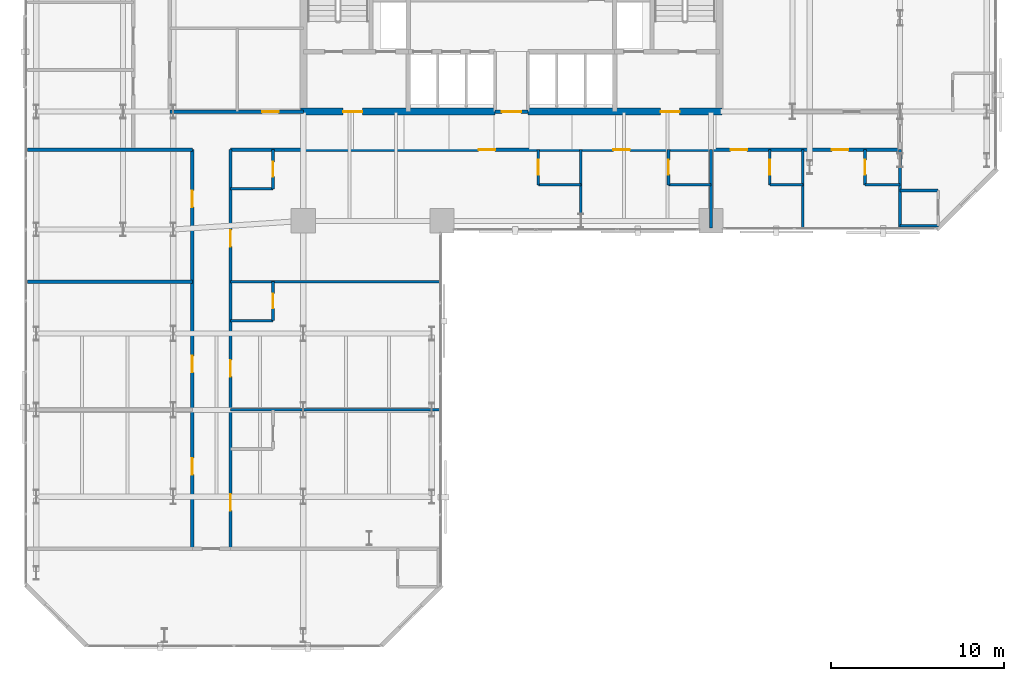
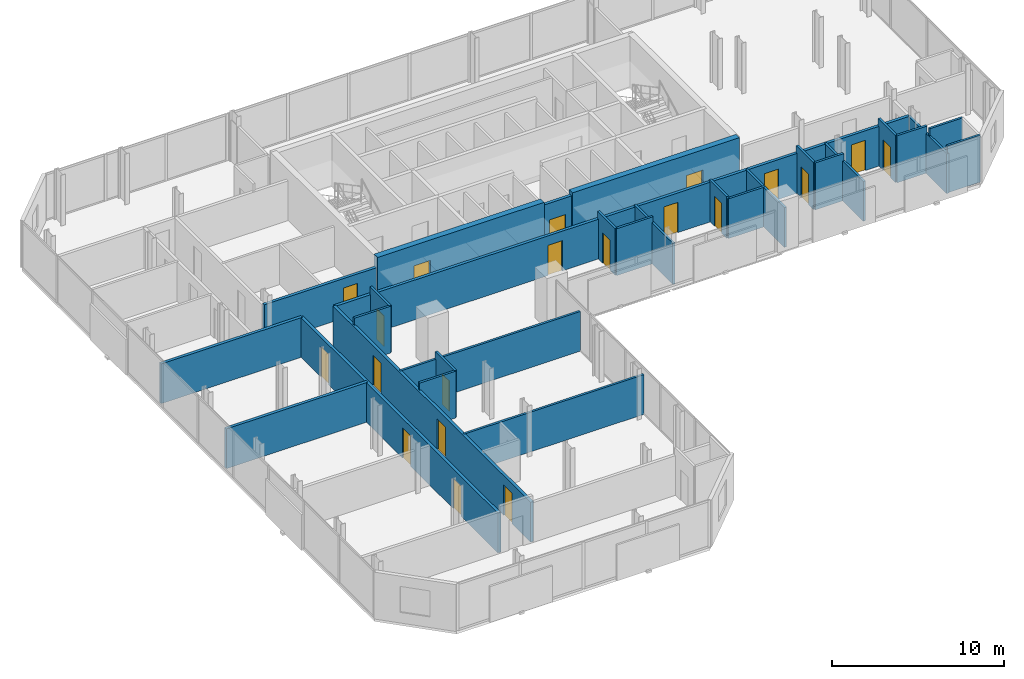
# One storey, part 29 of 33: 29 walls, 20 doors, 20 openings.
"""IFC4 building model written with IfcOpenShell, lengths in metres."""

from ifc_helpers import new_model, si_unit, direction, frame, frame_2d, origin, place, context, subcontext, project, spatial, rectangle, extrude, material, layer, layer_set, type_object, element, fill, save


model = new_model("IFC4")

# Units and contexts
model_context = context("Model", 3, precision=1e-05, world=origin(), true_north=direction((0.0, 1.0)))
body_context = subcontext(model_context, "Body", "Model", "MODEL_VIEW")
ifc_project = project(units=[si_unit("LENGTHUNIT", "METRE"), si_unit("AREAUNIT", "SQUARE_METRE"), si_unit("VOLUMEUNIT", "CUBIC_METRE"), si_unit("PLANEANGLEUNIT", "RADIAN"), si_unit("MASSUNIT", "GRAM", prefix="KILO")], contexts=[model_context])

# Site, building, storey
site_placement = place(None, origin())
site = spatial("IfcSite", under=ifc_project, at=site_placement, CompositionType="ELEMENT")
building_placement = place(site_placement, origin())
building = spatial("IfcBuilding", under=site, at=building_placement, Name="Catumbela Crestline Tower", CompositionType="ELEMENT")
storey_placement = place(building_placement, frame((0.0, 0.0, 58.2)))
storey = spatial("IfcBuildingStorey", under=building, at=storey_placement, Name="L14", CompositionType="ELEMENT", Elevation=58.2)

# Wall, opening, door
ifc_material_1 = material(Name="Concrete C60/75", Category="concrete")
ifc_layer_1 = layer(ifc_material_1, 0.4, Name="Concrete C60/75")
ifc_layer_set_1 = layer_set([ifc_layer_1], Name="Concrete C60/75")
wall_type_1 = type_object("IfcWallType", Name="CW-400A", PredefinedType="SHEAR", material=ifc_layer_set_1)
wall_1_placement = place(storey_placement, frame((15.85, 30.8, 0.0), z_axis=(0.0, 0.0, 1.0), x_axis=(1.0, 0.0, 0.0)))
wall_1 = element("IfcWall", 1, at=wall_1_placement, inside=storey, type_object=wall_type_1, Name="L14 Structural Core Shear Wall SW", PredefinedType="SHEAR", context=body_context, shape_type="SweptSolid", body=[
    extrude(rectangle(XDim=11.2, YDim=0.4, at=frame_2d((5.6, 0.0))), origin(), (0.0, 0.0, 1.0), 3.6),
])
opening_1_placement = place(wall_1_placement, frame((2.45, 0.0, 0.0)))
opening_1 = element("IfcOpeningElement", 2, at=opening_1_placement, cuts=wall_1, Name="Opening DF9-110", PredefinedType="OPENING", context=body_context, shape_type="SweptSolid", body=[
    extrude(rectangle(XDim=1.1, YDim=2.15, at=frame_2d((0.55, 1.075))), frame((0.0, 0.21, 0.0), z_axis=(0.0, -1.0, 0.0), x_axis=(1.0, 0.0, 0.0)), (0.0, 0.0, 1.0), 0.42),
])
ifc_material_2 = material(Name="Stainless steel EN 1.4401", Category="steel")
door_type_1 = type_object("IfcDoorType", Name="DF9-110", OperationType="NOTDEFINED", PredefinedType="DOOR", material=ifc_material_2)
door_1_placement = place(opening_1_placement, origin())
door_1 = element("IfcDoor", 3, at=door_1_placement, inside=storey, type_object=door_type_1, Name="L14 Interior Door DR-L14-FFW-S", OperationType="SINGLE_SWING_LEFT", OverallHeight=2.15, OverallWidth=1.1, PredefinedType="DOOR", context=body_context, shape_type="SweptSolid", body=[
    extrude(rectangle(XDim=1.1, YDim=2.15, at=frame_2d((0.55, 1.075))), frame((0.0, 0.025, 0.0), z_axis=(0.0, -1.0, 0.0), x_axis=(1.0, 0.0, 0.0)), (0.0, 0.0, 1.0), 0.05),
])
fill(opening_1, door_1)

wall_2_placement = place(storey_placement, frame((28.95, 30.8, 0.0), z_axis=(0.0, 0.0, 1.0), x_axis=(1.0, 0.0, 0.0)))
wall_2 = element("IfcWall", 4, at=wall_2_placement, inside=storey, type_object=wall_type_1, Name="L14 Structural Core Shear Wall SE", PredefinedType="SHEAR", context=body_context, shape_type="SweptSolid", body=[
    extrude(rectangle(XDim=11.2, YDim=0.4, at=frame_2d((5.6, 0.0))), origin(), (0.0, 0.0, 1.0), 3.6),
])
opening_2_placement = place(wall_2_placement, frame((7.65, 0.0, 0.0)))
opening_2 = element("IfcOpeningElement", 5, at=opening_2_placement, cuts=wall_2, Name="Opening DF9-110", PredefinedType="OPENING", context=body_context, shape_type="SweptSolid", body=[
    extrude(rectangle(XDim=1.1, YDim=2.15, at=frame_2d((0.55, 1.075))), frame((0.0, 0.21, 0.0), z_axis=(0.0, -1.0, 0.0), x_axis=(1.0, 0.0, 0.0)), (0.0, 0.0, 1.0), 0.42),
])
door_2_placement = place(opening_2_placement, origin())
door_2 = element("IfcDoor", 6, at=door_2_placement, inside=storey, type_object=door_type_1, Name="L14 Interior Door DR-L14-FFE-S", OperationType="SINGLE_SWING_RIGHT", OverallHeight=2.15, OverallWidth=1.1, PredefinedType="DOOR", context=body_context, shape_type="SweptSolid", body=[
    extrude(rectangle(XDim=1.1, YDim=2.15, at=frame_2d((0.55, 1.075))), frame((0.0, 0.025, 0.0), z_axis=(0.0, -1.0, 0.0), x_axis=(1.0, 0.0, 0.0)), (0.0, 0.0, 1.0), 0.05),
])
fill(opening_2, door_2)

ifc_material_3 = material(Name="Acoustic gypsum and mineral-wool partition")
ifc_layer_2 = layer(ifc_material_3, 0.2, Name="Acoustic gypsum and mineral-wool partition")
ifc_layer_set_2 = layer_set([ifc_layer_2], Name="Acoustic gypsum and mineral-wool partition")
wall_type_2 = type_object("IfcWallType", Name="WC-200", PredefinedType="PARTITIONING", material=ifc_layer_set_2)
wall_3_placement = place(storey_placement, frame((27.05, 30.8, 0.0), z_axis=(0.0, 0.0, 1.0), x_axis=(1.0, 0.0, 0.0)))
wall_3 = element("IfcWall", 7, at=wall_3_placement, inside=storey, type_object=wall_type_2, Name="L14 Interior Partition PW-L14-CLOBS", PredefinedType="PARTITIONING", context=body_context, shape_type="SweptSolid", body=[
    extrude(rectangle(XDim=1.9, YDim=0.2, at=frame_2d((0.95, 0.0))), origin(), (0.0, 0.0, 1.0), 3.33),
])
opening_3_placement = place(wall_3_placement, frame((0.4, 0.0, 0.0)))
opening_3 = element("IfcOpeningElement", 8, at=opening_3_placement, cuts=wall_3, Name="Opening DF9-110", PredefinedType="OPENING", context=body_context, shape_type="SweptSolid", body=[
    extrude(rectangle(XDim=1.1, YDim=2.15, at=frame_2d((0.55, 1.075))), frame((0.0, 0.11, 0.0), z_axis=(0.0, -1.0, 0.0), x_axis=(1.0, 0.0, 0.0)), (0.0, 0.0, 1.0), 0.22),
])
door_3_placement = place(opening_3_placement, origin())
door_3 = element("IfcDoor", 9, at=door_3_placement, inside=storey, type_object=door_type_1, Name="L14 Interior Door DR-L14-CLOBS", OperationType="SINGLE_SWING_LEFT", OverallHeight=2.15, OverallWidth=1.1, PredefinedType="DOOR", context=body_context, shape_type="SweptSolid", body=[
    extrude(rectangle(XDim=1.1, YDim=2.15, at=frame_2d((0.55, 1.075))), frame((0.0, 0.025, 0.0), z_axis=(0.0, -1.0, 0.0), x_axis=(1.0, 0.0, 0.0)), (0.0, 0.0, 1.0), 0.05),
])
fill(opening_3, door_3)

# Wall
wall_4_placement = place(storey_placement, frame((0.1, 28.6, 0.0), z_axis=(0.0, 0.0, 1.0), x_axis=(1.0, 0.0, 0.0)))
element("IfcWall", 10, at=wall_4_placement, inside=storey, type_object=wall_type_2, Name="L14 Interior Partition PW-L14-CWGL-N", PredefinedType="PARTITIONING", context=body_context, shape_type="SweptSolid", body=[
    extrude(rectangle(XDim=9.5, YDim=0.2, at=frame_2d((4.75, 0.0))), origin(), (0.0, 0.0, 1.0), 2.82),
])

# Wall, openings, doors
wall_5_placement = place(storey_placement, frame((11.8, 28.6, 0.0), z_axis=(0.0, 0.0, 1.0), x_axis=(1.0, 0.0, 0.0)))
wall_5 = element("IfcWall", 11, at=wall_5_placement, inside=storey, type_object=wall_type_2, Name="L14 Interior Partition PW-L14-CWGR-N", PredefinedType="PARTITIONING", context=body_context, shape_type="SweptSolid", body=[
    extrude(rectangle(XDim=38.6, YDim=0.2, at=frame_2d((19.3, 0.0))), origin(), (0.0, 0.0, 1.0), 2.82),
])
opening_4_placement = place(wall_5_placement, frame((14.3, 0.0, 0.0)))
opening_4 = element("IfcOpeningElement", 12, at=opening_4_placement, cuts=wall_5, Name="Opening DF6-095", PredefinedType="OPENING", context=body_context, shape_type="SweptSolid", body=[
    extrude(rectangle(XDim=0.95, YDim=2.15, at=frame_2d((0.475, 1.075))), frame((0.0, 0.11, 0.0), z_axis=(0.0, -1.0, 0.0), x_axis=(1.0, 0.0, 0.0)), (0.0, 0.0, 1.0), 0.22),
])
opening_5_placement = place(wall_5_placement, frame((22.075, 0.0, 0.0)))
opening_5 = element("IfcOpeningElement", 13, at=opening_5_placement, cuts=wall_5, Name="Opening DF6-095", PredefinedType="OPENING", context=body_context, shape_type="SweptSolid", body=[
    extrude(rectangle(XDim=0.95, YDim=2.15, at=frame_2d((0.475, 1.075))), frame((0.0, 0.11, 0.0), z_axis=(0.0, -1.0, 0.0), x_axis=(1.0, 0.0, 0.0)), (0.0, 0.0, 1.0), 0.22),
])
opening_6_placement = place(wall_5_placement, frame((28.8289, 0.0, 0.0)))
opening_6 = element("IfcOpeningElement", 14, at=opening_6_placement, cuts=wall_5, Name="Opening DF6-095", PredefinedType="OPENING", context=body_context, shape_type="SweptSolid", body=[
    extrude(rectangle(XDim=0.95, YDim=2.15, at=frame_2d((0.475, 1.075))), frame((0.0, 0.11, 0.0), z_axis=(0.0, -1.0, 0.0), x_axis=(1.0, 0.0, 0.0)), (0.0, 0.0, 1.0), 0.22),
])
opening_7_placement = place(wall_5_placement, frame((34.6691, 0.0, 0.0)))
opening_7 = element("IfcOpeningElement", 15, at=opening_7_placement, cuts=wall_5, Name="Opening DF6-095", PredefinedType="OPENING", context=body_context, shape_type="SweptSolid", body=[
    extrude(rectangle(XDim=0.95, YDim=2.15, at=frame_2d((0.475, 1.075))), frame((0.0, 0.11, 0.0), z_axis=(0.0, -1.0, 0.0), x_axis=(1.0, 0.0, 0.0)), (0.0, 0.0, 1.0), 0.22),
])
ifc_material_4 = material(Name="Aluminium alloy AW-6060-T66", Category="aluminium")
door_type_2 = type_object("IfcDoorType", Name="DF6-095", OperationType="NOTDEFINED", PredefinedType="DOOR", material=ifc_material_4)
door_4_placement = place(opening_4_placement, origin())
door_4 = element("IfcDoor", 16, at=door_4_placement, inside=storey, type_object=door_type_2, Name="L14 Interior Door DR-L14-K1-ENT", OperationType="SINGLE_SWING_LEFT", OverallHeight=2.15, OverallWidth=0.95, PredefinedType="DOOR", context=body_context, shape_type="SweptSolid", body=[
    extrude(rectangle(XDim=0.95, YDim=2.15, at=frame_2d((0.475, 1.075))), frame((0.0, 0.025, 0.0), z_axis=(0.0, -1.0, 0.0), x_axis=(1.0, 0.0, 0.0)), (0.0, 0.0, 1.0), 0.05),
])
fill(opening_4, door_4)
door_5_placement = place(opening_5_placement, origin())
door_5 = element("IfcDoor", 17, at=door_5_placement, inside=storey, type_object=door_type_2, Name="L14 Interior Door DR-L14-K2-ENT", OperationType="SINGLE_SWING_RIGHT", OverallHeight=2.15, OverallWidth=0.95, PredefinedType="DOOR", context=body_context, shape_type="SweptSolid", body=[
    extrude(rectangle(XDim=0.95, YDim=2.15, at=frame_2d((0.475, 1.075))), frame((0.0, 0.025, 0.0), z_axis=(0.0, -1.0, 0.0), x_axis=(1.0, 0.0, 0.0)), (0.0, 0.0, 1.0), 0.05),
])
fill(opening_5, door_5)
door_6_placement = place(opening_6_placement, origin())
door_6 = element("IfcDoor", 18, at=door_6_placement, inside=storey, type_object=door_type_2, Name="L14 Interior Door DR-L14-K3-ENT", OperationType="SINGLE_SWING_LEFT", OverallHeight=2.15, OverallWidth=0.95, PredefinedType="DOOR", context=body_context, shape_type="SweptSolid", body=[
    extrude(rectangle(XDim=0.95, YDim=2.15, at=frame_2d((0.475, 1.075))), frame((0.0, 0.025, 0.0), z_axis=(0.0, -1.0, 0.0), x_axis=(1.0, 0.0, 0.0)), (0.0, 0.0, 1.0), 0.05),
])
fill(opening_6, door_6)
door_7_placement = place(opening_7_placement, origin())
door_7 = element("IfcDoor", 19, at=door_7_placement, inside=storey, type_object=door_type_2, Name="L14 Interior Door DR-L14-K4-ENT", OperationType="SINGLE_SWING_RIGHT", OverallHeight=2.15, OverallWidth=0.95, PredefinedType="DOOR", context=body_context, shape_type="SweptSolid", body=[
    extrude(rectangle(XDim=0.95, YDim=2.15, at=frame_2d((0.475, 1.075))), frame((0.0, 0.025, 0.0), z_axis=(0.0, -1.0, 0.0), x_axis=(1.0, 0.0, 0.0)), (0.0, 0.0, 1.0), 0.05),
])
fill(opening_7, door_7)

# Wall, opening, door
wall_6_placement = place(storey_placement, frame((8.3, 30.8, 0.0), z_axis=(0.0, 0.0, 1.0), x_axis=(1.0, 0.0, 0.0)))
wall_6 = element("IfcWall", 20, at=wall_6_placement, inside=storey, type_object=wall_type_2, Name="L14 Interior Partition PW-L14-HK-S", PredefinedType="PARTITIONING", context=body_context, shape_type="SweptSolid", body=[
    extrude(rectangle(XDim=7.7, YDim=0.2, at=frame_2d((3.85, 0.0))), origin(), (0.0, 0.0, 1.0), 2.82),
])
opening_8_placement = place(wall_6_placement, frame((5.325, 0.0, 0.0)))
opening_8 = element("IfcOpeningElement", 21, at=opening_8_placement, cuts=wall_6, Name="Opening DF6-095", PredefinedType="OPENING", context=body_context, shape_type="SweptSolid", body=[
    extrude(rectangle(XDim=0.95, YDim=2.15, at=frame_2d((0.475, 1.075))), frame((0.0, 0.11, 0.0), z_axis=(0.0, -1.0, 0.0), x_axis=(1.0, 0.0, 0.0)), (0.0, 0.0, 1.0), 0.22),
])
door_8_placement = place(opening_8_placement, origin())
door_8 = element("IfcDoor", 22, at=door_8_placement, inside=storey, type_object=door_type_2, Name="L14 Interior Door DR-L14-HKP", OperationType="SINGLE_SWING_LEFT", OverallHeight=2.15, OverallWidth=0.95, PredefinedType="DOOR", context=body_context, shape_type="SweptSolid", body=[
    extrude(rectangle(XDim=0.95, YDim=2.15, at=frame_2d((0.475, 1.075))), frame((0.0, 0.025, 0.0), z_axis=(0.0, -1.0, 0.0), x_axis=(1.0, 0.0, 0.0)), (0.0, 0.0, 1.0), 0.05),
])
fill(opening_8, door_8)

# Wall, openings, doors
wall_7_placement = place(storey_placement, frame((9.6, 5.6, 0.0), z_axis=(0.0, 0.0, 1.0), x_axis=(0.0, 1.0, 0.0)))
wall_7 = element("IfcWall", 23, at=wall_7_placement, inside=storey, type_object=wall_type_2, Name="L14 Interior Partition PW-L14-WL1-ENT", PredefinedType="PARTITIONING", context=body_context, shape_type="SweptSolid", body=[
    extrude(rectangle(XDim=23.0, YDim=0.2, at=frame_2d((11.5, 0.0))), origin(), (0.0, 0.0, 1.0), 2.82),
])
opening_9_placement = place(wall_7_placement, frame((4.2703, 0.0, 0.0)))
opening_9 = element("IfcOpeningElement", 24, at=opening_9_placement, cuts=wall_7, Name="Opening DF6-095", PredefinedType="OPENING", context=body_context, shape_type="SweptSolid", body=[
    extrude(rectangle(XDim=0.95, YDim=2.15, at=frame_2d((0.475, 1.075))), frame((0.0, 0.11, 0.0), z_axis=(0.0, -1.0, 0.0), x_axis=(1.0, 0.0, 0.0)), (0.0, 0.0, 1.0), 0.22),
])
opening_10_placement = place(wall_7_placement, frame((10.1698, 0.0, 0.0)))
opening_10 = element("IfcOpeningElement", 25, at=opening_10_placement, cuts=wall_7, Name="Opening DF6-095", PredefinedType="OPENING", context=body_context, shape_type="SweptSolid", body=[
    extrude(rectangle(XDim=0.95, YDim=2.15, at=frame_2d((0.475, 1.075))), frame((0.0, 0.11, 0.0), z_axis=(0.0, -1.0, 0.0), x_axis=(1.0, 0.0, 0.0)), (0.0, 0.0, 1.0), 0.22),
])
opening_11_placement = place(wall_7_placement, frame((19.6931, 0.0, 0.0)))
opening_11 = element("IfcOpeningElement", 26, at=opening_11_placement, cuts=wall_7, Name="Opening DF6-095", PredefinedType="OPENING", context=body_context, shape_type="SweptSolid", body=[
    extrude(rectangle(XDim=0.95, YDim=2.15, at=frame_2d((0.475, 1.075))), frame((0.0, 0.11, 0.0), z_axis=(0.0, -1.0, 0.0), x_axis=(1.0, 0.0, 0.0)), (0.0, 0.0, 1.0), 0.22),
])
door_9_placement = place(opening_9_placement, origin())
door_9 = element("IfcDoor", 27, at=door_9_placement, inside=storey, type_object=door_type_2, Name="L14 Interior Door DR-L14-WL1-ENT", OperationType="SINGLE_SWING_RIGHT", OverallHeight=2.15, OverallWidth=0.95, PredefinedType="DOOR", context=body_context, shape_type="SweptSolid", body=[
    extrude(rectangle(XDim=0.95, YDim=2.15, at=frame_2d((0.475, 1.075))), frame((0.0, 0.025, 0.0), z_axis=(0.0, -1.0, 0.0), x_axis=(1.0, 0.0, 0.0)), (0.0, 0.0, 1.0), 0.05),
])
fill(opening_9, door_9)
door_10_placement = place(opening_10_placement, origin())
door_10 = element("IfcDoor", 28, at=door_10_placement, inside=storey, type_object=door_type_2, Name="L14 Interior Door DR-L14-WL2-ENT", OperationType="SINGLE_SWING_LEFT", OverallHeight=2.15, OverallWidth=0.95, PredefinedType="DOOR", context=body_context, shape_type="SweptSolid", body=[
    extrude(rectangle(XDim=0.95, YDim=2.15, at=frame_2d((0.475, 1.075))), frame((0.0, 0.025, 0.0), z_axis=(0.0, -1.0, 0.0), x_axis=(1.0, 0.0, 0.0)), (0.0, 0.0, 1.0), 0.05),
])
fill(opening_10, door_10)
door_11_placement = place(opening_11_placement, origin())
door_11 = element("IfcDoor", 29, at=door_11_placement, inside=storey, type_object=door_type_2, Name="L14 Interior Door DR-L14-WL3-ENT", OperationType="SINGLE_SWING_RIGHT", OverallHeight=2.15, OverallWidth=0.95, PredefinedType="DOOR", context=body_context, shape_type="SweptSolid", body=[
    extrude(rectangle(XDim=0.95, YDim=2.15, at=frame_2d((0.475, 1.075))), frame((0.0, 0.025, 0.0), z_axis=(0.0, -1.0, 0.0), x_axis=(1.0, 0.0, 0.0)), (0.0, 0.0, 1.0), 0.05),
])
fill(opening_11, door_11)

wall_8_placement = place(storey_placement, frame((11.8, 5.6, 0.0), z_axis=(0.0, 0.0, 1.0), x_axis=(0.0, 1.0, 0.0)))
wall_8 = element("IfcWall", 30, at=wall_8_placement, inside=storey, type_object=wall_type_2, Name="L14 Interior Partition PW-L14-WR1-ENT", PredefinedType="PARTITIONING", context=body_context, shape_type="SweptSolid", body=[
    extrude(rectangle(XDim=23.0, YDim=0.2, at=frame_2d((11.5, 0.0))), origin(), (0.0, 0.0, 1.0), 2.82),
])
opening_12_placement = place(wall_8_placement, frame((2.19, 0.0, 0.0)))
opening_12 = element("IfcOpeningElement", 31, at=opening_12_placement, cuts=wall_8, Name="Opening DF6-095", PredefinedType="OPENING", context=body_context, shape_type="SweptSolid", body=[
    extrude(rectangle(XDim=0.95, YDim=2.15, at=frame_2d((0.475, 1.075))), frame((0.0, 0.11, 0.0), z_axis=(0.0, -1.0, 0.0), x_axis=(1.0, 0.0, 0.0)), (0.0, 0.0, 1.0), 0.22),
])
opening_13_placement = place(wall_8_placement, frame((9.92, 0.0, 0.0)))
opening_13 = element("IfcOpeningElement", 32, at=opening_13_placement, cuts=wall_8, Name="Opening DF6-095", PredefinedType="OPENING", context=body_context, shape_type="SweptSolid", body=[
    extrude(rectangle(XDim=0.95, YDim=2.15, at=frame_2d((0.475, 1.075))), frame((0.0, 0.11, 0.0), z_axis=(0.0, -1.0, 0.0), x_axis=(1.0, 0.0, 0.0)), (0.0, 0.0, 1.0), 0.22),
])
opening_14_placement = place(wall_8_placement, frame((17.41, 0.0, 0.0)))
opening_14 = element("IfcOpeningElement", 33, at=opening_14_placement, cuts=wall_8, Name="Opening DF6-095", PredefinedType="OPENING", context=body_context, shape_type="SweptSolid", body=[
    extrude(rectangle(XDim=0.95, YDim=2.15, at=frame_2d((0.475, 1.075))), frame((0.0, 0.11, 0.0), z_axis=(0.0, -1.0, 0.0), x_axis=(1.0, 0.0, 0.0)), (0.0, 0.0, 1.0), 0.22),
])
door_12_placement = place(opening_12_placement, origin())
door_12 = element("IfcDoor", 34, at=door_12_placement, inside=storey, type_object=door_type_2, Name="L14 Interior Door DR-L14-WR1-ENT", OperationType="SINGLE_SWING_LEFT", OverallHeight=2.15, OverallWidth=0.95, PredefinedType="DOOR", context=body_context, shape_type="SweptSolid", body=[
    extrude(rectangle(XDim=0.95, YDim=2.15, at=frame_2d((0.475, 1.075))), frame((0.0, 0.025, 0.0), z_axis=(0.0, -1.0, 0.0), x_axis=(1.0, 0.0, 0.0)), (0.0, 0.0, 1.0), 0.05),
])
fill(opening_12, door_12)
door_13_placement = place(opening_13_placement, origin())
door_13 = element("IfcDoor", 35, at=door_13_placement, inside=storey, type_object=door_type_2, Name="L14 Interior Door DR-L14-WR2-ENT", OperationType="SINGLE_SWING_RIGHT", OverallHeight=2.15, OverallWidth=0.95, PredefinedType="DOOR", context=body_context, shape_type="SweptSolid", body=[
    extrude(rectangle(XDim=0.95, YDim=2.15, at=frame_2d((0.475, 1.075))), frame((0.0, 0.025, 0.0), z_axis=(0.0, -1.0, 0.0), x_axis=(1.0, 0.0, 0.0)), (0.0, 0.0, 1.0), 0.05),
])
fill(opening_13, door_13)
door_14_placement = place(opening_14_placement, origin())
door_14 = element("IfcDoor", 36, at=door_14_placement, inside=storey, type_object=door_type_2, Name="L14 Interior Door DR-L14-WR3-ENT", OperationType="SINGLE_SWING_LEFT", OverallHeight=2.15, OverallWidth=0.95, PredefinedType="DOOR", context=body_context, shape_type="SweptSolid", body=[
    extrude(rectangle(XDim=0.95, YDim=2.15, at=frame_2d((0.475, 1.075))), frame((0.0, 0.025, 0.0), z_axis=(0.0, -1.0, 0.0), x_axis=(1.0, 0.0, 0.0)), (0.0, 0.0, 1.0), 0.05),
])
fill(opening_14, door_14)

# Wall
ifc_layer_3 = layer(ifc_material_3, 0.15, Name="Acoustic gypsum and mineral-wool partition")
ifc_layer_set_3 = layer_set([ifc_layer_3], Name="Acoustic gypsum and mineral-wool partition")
wall_type_3 = type_object("IfcWallType", Name="WP-150", PredefinedType="PARTITIONING", material=ifc_layer_set_3)
wall_9_placement = place(storey_placement, frame((29.55, 26.576, 0.0), z_axis=(0.0, 0.0, 1.0), x_axis=(1.0, 0.0, 0.0)))
element("IfcWall", 37, at=wall_9_placement, inside=storey, type_object=wall_type_3, Name="L14 Interior Partition PW-L14-K1-BHW", PredefinedType="PARTITIONING", context=body_context, shape_type="SweptSolid", body=[
    extrude(rectangle(XDim=2.45, YDim=0.15, at=frame_2d((1.225, 0.0))), origin(), (0.0, 0.0, 1.0), 3.33),
])

# Wall, opening, door
wall_10_placement = place(storey_placement, frame((29.55, 26.576, 0.0), z_axis=(0.0, 0.0, 1.0), x_axis=(0.0, 1.0, 0.0)))
wall_10 = element("IfcWall", 38, at=wall_10_placement, inside=storey, type_object=wall_type_3, Name="L14 Interior Partition PW-L14-K1-BWW", PredefinedType="PARTITIONING", context=body_context, shape_type="SweptSolid", body=[
    extrude(rectangle(XDim=2.024, YDim=0.15, at=frame_2d((1.012, 0.0))), origin(), (0.0, 0.0, 1.0), 3.33),
])
opening_15_placement = place(wall_10_placement, frame((0.587, 0.0, 0.0)))
opening_15 = element("IfcOpeningElement", 39, at=opening_15_placement, cuts=wall_10, Name="Opening DI-085", PredefinedType="OPENING", context=body_context, shape_type="SweptSolid", body=[
    extrude(rectangle(XDim=0.85, YDim=2.15, at=frame_2d((0.425, 1.075))), frame((0.0, 0.085, 0.0), z_axis=(0.0, -1.0, 0.0), x_axis=(1.0, 0.0, 0.0)), (0.0, 0.0, 1.0), 0.17),
])
door_type_3 = type_object("IfcDoorType", Name="DI-085", OperationType="NOTDEFINED", PredefinedType="DOOR", material=ifc_material_4)
door_15_placement = place(opening_15_placement, origin())
door_15 = element("IfcDoor", 40, at=door_15_placement, inside=storey, type_object=door_type_3, Name="L14 Interior Door DR-L14-K1-BTH", OperationType="SINGLE_SWING_RIGHT", OverallHeight=2.15, OverallWidth=0.85, PredefinedType="DOOR", context=body_context, shape_type="SweptSolid", body=[
    extrude(rectangle(XDim=0.85, YDim=2.15, at=frame_2d((0.425, 1.075))), frame((0.0, 0.025, 0.0), z_axis=(0.0, -1.0, 0.0), x_axis=(1.0, 0.0, 0.0)), (0.0, 0.0, 1.0), 0.05),
])
fill(opening_15, door_15)

# Walls
wall_11_placement = place(storey_placement, frame((32.0, 28.6, 0.0), z_axis=(0.0, 0.0, 1.0), x_axis=(0.0, -1.0, 0.0)))
element("IfcWall", 41, at=wall_11_placement, inside=storey, type_object=wall_type_3, Name="L14 Interior Partition PW-L14-K1-BCL-2", PredefinedType="PARTITIONING", context=body_context, shape_type="SweptSolid", body=[
    extrude(rectangle(XDim=4.5, YDim=0.15, at=frame_2d((2.25, 0.0))), origin(), (0.0, 0.0, 1.0), 2.93),
])
wall_12_placement = place(storey_placement, frame((37.05, 26.576, 0.0), z_axis=(0.0, 0.0, 1.0), x_axis=(1.0, 0.0, 0.0)))
element("IfcWall", 42, at=wall_12_placement, inside=storey, type_object=wall_type_3, Name="L14 Interior Partition PW-L14-K2-BHW", PredefinedType="PARTITIONING", context=body_context, shape_type="SweptSolid", body=[
    extrude(rectangle(XDim=2.45, YDim=0.15, at=frame_2d((1.225, 0.0))), origin(), (0.0, 0.0, 1.0), 2.82),
])

# Wall, opening, door
wall_13_placement = place(storey_placement, frame((37.05, 26.576, 0.0), z_axis=(0.0, 0.0, 1.0), x_axis=(0.0, 1.0, 0.0)))
wall_13 = element("IfcWall", 43, at=wall_13_placement, inside=storey, type_object=wall_type_3, Name="L14 Interior Partition PW-L14-K2-BWW", PredefinedType="PARTITIONING", context=body_context, shape_type="SweptSolid", body=[
    extrude(rectangle(XDim=2.024, YDim=0.15, at=frame_2d((1.012, 0.0))), origin(), (0.0, 0.0, 1.0), 2.96),
])
opening_16_placement = place(wall_13_placement, frame((0.587, 0.0, 0.0)))
opening_16 = element("IfcOpeningElement", 44, at=opening_16_placement, cuts=wall_13, Name="Opening DI-085", PredefinedType="OPENING", context=body_context, shape_type="SweptSolid", body=[
    extrude(rectangle(XDim=0.85, YDim=2.15, at=frame_2d((0.425, 1.075))), frame((0.0, 0.085, 0.0), z_axis=(0.0, -1.0, 0.0), x_axis=(1.0, 0.0, 0.0)), (0.0, 0.0, 1.0), 0.17),
])
door_16_placement = place(opening_16_placement, origin())
door_16 = element("IfcDoor", 45, at=door_16_placement, inside=storey, type_object=door_type_3, Name="L14 Interior Door DR-L14-K2-BTH", OperationType="SINGLE_SWING_RIGHT", OverallHeight=2.15, OverallWidth=0.85, PredefinedType="DOOR", context=body_context, shape_type="SweptSolid", body=[
    extrude(rectangle(XDim=0.85, YDim=2.15, at=frame_2d((0.425, 1.075))), frame((0.0, 0.025, 0.0), z_axis=(0.0, -1.0, 0.0), x_axis=(1.0, 0.0, 0.0)), (0.0, 0.0, 1.0), 0.05),
])
fill(opening_16, door_16)

# Walls
wall_14_placement = place(storey_placement, frame((39.5, 28.6, 0.0), z_axis=(0.0, 0.0, 1.0), x_axis=(0.0, -1.0, 0.0)))
element("IfcWall", 46, at=wall_14_placement, inside=storey, type_object=wall_type_3, Name="L14 Interior Partition PW-L14-K2-BCL-2", PredefinedType="PARTITIONING", context=body_context, shape_type="SweptSolid", body=[
    extrude(rectangle(XDim=4.5, YDim=0.15, at=frame_2d((2.25, 0.0))), origin(), (0.0, 0.0, 1.0), 2.82),
])
wall_15_placement = place(storey_placement, frame((42.892, 26.576, 0.0), z_axis=(0.0, 0.0, 1.0), x_axis=(1.0, 0.0, 0.0)))
element("IfcWall", 47, at=wall_15_placement, inside=storey, type_object=wall_type_3, Name="L14 Interior Partition PW-L14-K3-BHW", PredefinedType="PARTITIONING", context=body_context, shape_type="SweptSolid", body=[
    extrude(rectangle(XDim=1.908, YDim=0.15, at=frame_2d((0.954, 0.0))), origin(), (0.0, 0.0, 1.0), 3.33),
])

# Wall, opening, door
wall_16_placement = place(storey_placement, frame((42.892, 26.576, 0.0), z_axis=(0.0, 0.0, 1.0), x_axis=(0.0, 1.0, 0.0)))
wall_16 = element("IfcWall", 48, at=wall_16_placement, inside=storey, type_object=wall_type_3, Name="L14 Interior Partition PW-L14-K3-BWW", PredefinedType="PARTITIONING", context=body_context, shape_type="SweptSolid", body=[
    extrude(rectangle(XDim=2.024, YDim=0.15, at=frame_2d((1.012, 0.0))), origin(), (0.0, 0.0, 1.0), 3.33),
])
opening_17_placement = place(wall_16_placement, frame((0.587, 0.0, 0.0)))
opening_17 = element("IfcOpeningElement", 49, at=opening_17_placement, cuts=wall_16, Name="Opening DI-085", PredefinedType="OPENING", context=body_context, shape_type="SweptSolid", body=[
    extrude(rectangle(XDim=0.85, YDim=2.15, at=frame_2d((0.425, 1.075))), frame((0.0, 0.085, 0.0), z_axis=(0.0, -1.0, 0.0), x_axis=(1.0, 0.0, 0.0)), (0.0, 0.0, 1.0), 0.17),
])
door_17_placement = place(opening_17_placement, origin())
door_17 = element("IfcDoor", 50, at=door_17_placement, inside=storey, type_object=door_type_3, Name="L14 Interior Door DR-L14-K3-BTH", OperationType="SINGLE_SWING_RIGHT", OverallHeight=2.15, OverallWidth=0.85, PredefinedType="DOOR", context=body_context, shape_type="SweptSolid", body=[
    extrude(rectangle(XDim=0.85, YDim=2.15, at=frame_2d((0.425, 1.075))), frame((0.0, 0.025, 0.0), z_axis=(0.0, -1.0, 0.0), x_axis=(1.0, 0.0, 0.0)), (0.0, 0.0, 1.0), 0.05),
])
fill(opening_17, door_17)

# Walls
wall_17_placement = place(storey_placement, frame((44.8, 28.6, 0.0), z_axis=(0.0, 0.0, 1.0), x_axis=(0.0, -1.0, 0.0)))
element("IfcWall", 51, at=wall_17_placement, inside=storey, type_object=wall_type_3, Name="L14 Interior Partition PW-L14-K3-BCL-2", PredefinedType="PARTITIONING", context=body_context, shape_type="SweptSolid", body=[
    extrude(rectangle(XDim=4.5, YDim=0.15, at=frame_2d((2.25, 0.0))), origin(), (0.0, 0.0, 1.0), 2.82),
])
wall_18_placement = place(storey_placement, frame((48.384, 26.576, 0.0), z_axis=(0.0, 0.0, 1.0), x_axis=(1.0, 0.0, 0.0)))
element("IfcWall", 52, at=wall_18_placement, inside=storey, type_object=wall_type_3, Name="L14 Interior Partition PW-L14-K4-BHW", PredefinedType="PARTITIONING", context=body_context, shape_type="SweptSolid", body=[
    extrude(rectangle(XDim=2.016, YDim=0.15, at=frame_2d((1.008, 0.0))), origin(), (0.0, 0.0, 1.0), 3.33),
])

# Wall, opening, door
wall_19_placement = place(storey_placement, frame((48.384, 26.576, 0.0), z_axis=(0.0, 0.0, 1.0), x_axis=(0.0, 1.0, 0.0)))
wall_19 = element("IfcWall", 53, at=wall_19_placement, inside=storey, type_object=wall_type_3, Name="L14 Interior Partition PW-L14-K4-BWW", PredefinedType="PARTITIONING", context=body_context, shape_type="SweptSolid", body=[
    extrude(rectangle(XDim=2.024, YDim=0.15, at=frame_2d((1.012, 0.0))), origin(), (0.0, 0.0, 1.0), 3.33),
])
opening_18_placement = place(wall_19_placement, frame((0.587, 0.0, 0.0)))
opening_18 = element("IfcOpeningElement", 54, at=opening_18_placement, cuts=wall_19, Name="Opening DI-085", PredefinedType="OPENING", context=body_context, shape_type="SweptSolid", body=[
    extrude(rectangle(XDim=0.85, YDim=2.15, at=frame_2d((0.425, 1.075))), frame((0.0, 0.085, 0.0), z_axis=(0.0, -1.0, 0.0), x_axis=(1.0, 0.0, 0.0)), (0.0, 0.0, 1.0), 0.17),
])
door_18_placement = place(opening_18_placement, origin())
door_18 = element("IfcDoor", 55, at=door_18_placement, inside=storey, type_object=door_type_3, Name="L14 Interior Door DR-L14-K4-BTH", OperationType="SINGLE_SWING_RIGHT", OverallHeight=2.15, OverallWidth=0.85, PredefinedType="DOOR", context=body_context, shape_type="SweptSolid", body=[
    extrude(rectangle(XDim=0.85, YDim=2.15, at=frame_2d((0.425, 1.075))), frame((0.0, 0.025, 0.0), z_axis=(0.0, -1.0, 0.0), x_axis=(1.0, 0.0, 0.0)), (0.0, 0.0, 1.0), 0.05),
])
fill(opening_18, door_18)

# Walls
wall_20_placement = place(storey_placement, frame((50.4, 28.6, 0.0), z_axis=(0.0, 0.0, 1.0), x_axis=(0.0, -1.0, 0.0)))
element("IfcWall", 56, at=wall_20_placement, inside=storey, type_object=wall_type_3, Name="L14 Interior Partition PW-L14-K4-BCL-2", PredefinedType="PARTITIONING", context=body_context, shape_type="SweptSolid", body=[
    extrude(rectangle(XDim=4.5, YDim=0.15, at=frame_2d((2.25, 0.0))), origin(), (0.0, 0.0, 1.0), 2.82),
])
wall_21_placement = place(storey_placement, frame((50.4, 26.25, 0.0), z_axis=(0.0, 0.0, 1.0), x_axis=(1.0, 0.0, 0.0)))
element("IfcWall", 57, at=wall_21_placement, inside=storey, type_object=wall_type_3, Name="L14 Interior Partition PW-L14-NESE-BNW", PredefinedType="PARTITIONING", context=body_context, shape_type="SweptSolid", body=[
    extrude(rectangle(XDim=2.2, YDim=0.15, at=frame_2d((1.1, 0.0))), origin(), (0.0, 0.0, 1.0), 3.33),
])
wall_22_placement = place(storey_placement, frame((52.62, 24.22, 0.0), z_axis=(0.0, 0.0, 1.0), x_axis=(-1.0, 0.0, 0.0)))
element("IfcWall", 58, at=wall_22_placement, inside=storey, type_object=wall_type_3, Name="L14 Interior Partition PW-L14-NESE-BCL-3", PredefinedType="PARTITIONING", context=body_context, shape_type="SweptSolid", body=[
    extrude(rectangle(XDim=2.22, YDim=0.15, at=frame_2d((1.11, 0.0))), origin(), (0.0, 0.0, 1.0), 3.33),
])
wall_23_placement = place(storey_placement, frame((11.8, 13.6, 0.0), z_axis=(0.0, 0.0, 1.0), x_axis=(1.0, 0.0, 0.0)))
element("IfcWall", 59, at=wall_23_placement, inside=storey, type_object=wall_type_3, Name="L14 Interior Partition PW-L14-WR1-BCL-1", PredefinedType="PARTITIONING", context=body_context, shape_type="SweptSolid", body=[
    extrude(rectangle(XDim=12.1, YDim=0.15, at=frame_2d((6.05, 0.0))), origin(), (0.0, 0.0, 1.0), 2.82),
])
wall_24_placement = place(storey_placement, frame((11.8, 18.75, 0.0), z_axis=(0.0, 0.0, 1.0), x_axis=(1.0, 0.0, 0.0)))
element("IfcWall", 60, at=wall_24_placement, inside=storey, type_object=wall_type_3, Name="L14 Interior Partition PW-L14-WR2-BSW", PredefinedType="PARTITIONING", context=body_context, shape_type="SweptSolid", body=[
    extrude(rectangle(XDim=2.45, YDim=0.15, at=frame_2d((1.225, 0.0))), origin(), (0.0, 0.0, 1.0), 3.33),
])

# Wall, opening, door
wall_25_placement = place(storey_placement, frame((14.25, 18.75, 0.0), z_axis=(0.0, 0.0, 1.0), x_axis=(0.0, 1.0, 0.0)))
wall_25 = element("IfcWall", 61, at=wall_25_placement, inside=storey, type_object=wall_type_3, Name="L14 Interior Partition PW-L14-WR2-BEW", PredefinedType="PARTITIONING", context=body_context, shape_type="SweptSolid", body=[
    extrude(rectangle(XDim=2.25, YDim=0.15, at=frame_2d((1.125, 0.0))), origin(), (0.0, 0.0, 1.0), 3.33),
])
opening_19_placement = place(wall_25_placement, frame((0.7, 0.0, 0.0)))
opening_19 = element("IfcOpeningElement", 62, at=opening_19_placement, cuts=wall_25, Name="Opening DI-085", PredefinedType="OPENING", context=body_context, shape_type="SweptSolid", body=[
    extrude(rectangle(XDim=0.85, YDim=2.15, at=frame_2d((0.425, 1.075))), frame((0.0, 0.085, 0.0), z_axis=(0.0, -1.0, 0.0), x_axis=(1.0, 0.0, 0.0)), (0.0, 0.0, 1.0), 0.17),
])
door_19_placement = place(opening_19_placement, origin())
door_19 = element("IfcDoor", 63, at=door_19_placement, inside=storey, type_object=door_type_3, Name="L14 Interior Door DR-L14-WR2-BTH", OperationType="SINGLE_SWING_LEFT", OverallHeight=2.15, OverallWidth=0.85, PredefinedType="DOOR", context=body_context, shape_type="SweptSolid", body=[
    extrude(rectangle(XDim=0.85, YDim=2.15, at=frame_2d((0.425, 1.075))), frame((0.0, 0.025, 0.0), z_axis=(0.0, -1.0, 0.0), x_axis=(1.0, 0.0, 0.0)), (0.0, 0.0, 1.0), 0.05),
])
fill(opening_19, door_19)

# Walls
wall_26_placement = place(storey_placement, frame((11.8, 21.0, 0.0), z_axis=(0.0, 0.0, 1.0), x_axis=(1.0, 0.0, 0.0)))
element("IfcWall", 64, at=wall_26_placement, inside=storey, type_object=wall_type_3, Name="L14 Interior Partition PW-L14-WR2-BCL-1", PredefinedType="PARTITIONING", context=body_context, shape_type="SweptSolid", body=[
    extrude(rectangle(XDim=12.1, YDim=0.15, at=frame_2d((6.05, 0.0))), origin(), (0.0, 0.0, 1.0), 2.82),
])
wall_27_placement = place(storey_placement, frame((11.8, 26.35, 0.0), z_axis=(0.0, 0.0, 1.0), x_axis=(1.0, 0.0, 0.0)))
element("IfcWall", 65, at=wall_27_placement, inside=storey, type_object=wall_type_3, Name="L14 Interior Partition PW-L14-WR3-BSW", PredefinedType="PARTITIONING", context=body_context, shape_type="SweptSolid", body=[
    extrude(rectangle(XDim=2.45, YDim=0.15, at=frame_2d((1.225, 0.0))), origin(), (0.0, 0.0, 1.0), 3.33),
])

# Wall, opening, door
wall_28_placement = place(storey_placement, frame((14.25, 26.35, 0.0), z_axis=(0.0, 0.0, 1.0), x_axis=(0.0, 1.0, 0.0)))
wall_28 = element("IfcWall", 66, at=wall_28_placement, inside=storey, type_object=wall_type_3, Name="L14 Interior Partition PW-L14-WR3-BEW", PredefinedType="PARTITIONING", context=body_context, shape_type="SweptSolid", body=[
    extrude(rectangle(XDim=2.25, YDim=0.15, at=frame_2d((1.125, 0.0))), origin(), (0.0, 0.0, 1.0), 3.33),
])
opening_20_placement = place(wall_28_placement, frame((0.7, 0.0, 0.0)))
opening_20 = element("IfcOpeningElement", 67, at=opening_20_placement, cuts=wall_28, Name="Opening DI-085", PredefinedType="OPENING", context=body_context, shape_type="SweptSolid", body=[
    extrude(rectangle(XDim=0.85, YDim=2.15, at=frame_2d((0.425, 1.075))), frame((0.0, 0.085, 0.0), z_axis=(0.0, -1.0, 0.0), x_axis=(1.0, 0.0, 0.0)), (0.0, 0.0, 1.0), 0.17),
])
door_20_placement = place(opening_20_placement, origin())
door_20 = element("IfcDoor", 68, at=door_20_placement, inside=storey, type_object=door_type_3, Name="L14 Interior Door DR-L14-WR3-BTH", OperationType="SINGLE_SWING_LEFT", OverallHeight=2.15, OverallWidth=0.85, PredefinedType="DOOR", context=body_context, shape_type="SweptSolid", body=[
    extrude(rectangle(XDim=0.85, YDim=2.15, at=frame_2d((0.425, 1.075))), frame((0.0, 0.025, 0.0), z_axis=(0.0, -1.0, 0.0), x_axis=(1.0, 0.0, 0.0)), (0.0, 0.0, 1.0), 0.05),
])
fill(opening_20, door_20)

# Wall
ifc_layer_4 = layer(ifc_material_3, 0.2, Name="Acoustic gypsum and mineral-wool partition")
ifc_layer_set_4 = layer_set([ifc_layer_4], Name="Acoustic gypsum and mineral-wool partition")
wall_type_4 = type_object("IfcWallType", Name="WY-200", PredefinedType="PARTITIONING", material=ifc_layer_set_4)
wall_29_placement = place(storey_placement, frame((0.1, 21.0, 0.0), z_axis=(0.0, 0.0, 1.0), x_axis=(1.0, 0.0, 0.0)))
element("IfcWall", 69, at=wall_29_placement, inside=storey, type_object=wall_type_4, Name="L14 Interior Partition PW-L14-WGLP-3", PredefinedType="PARTITIONING", context=body_context, shape_type="SweptSolid", body=[
    extrude(rectangle(XDim=9.5, YDim=0.2, at=frame_2d((4.75, 0.0))), origin(), (0.0, 0.0, 1.0), 2.82),
])

save(model, "model.ifc")
